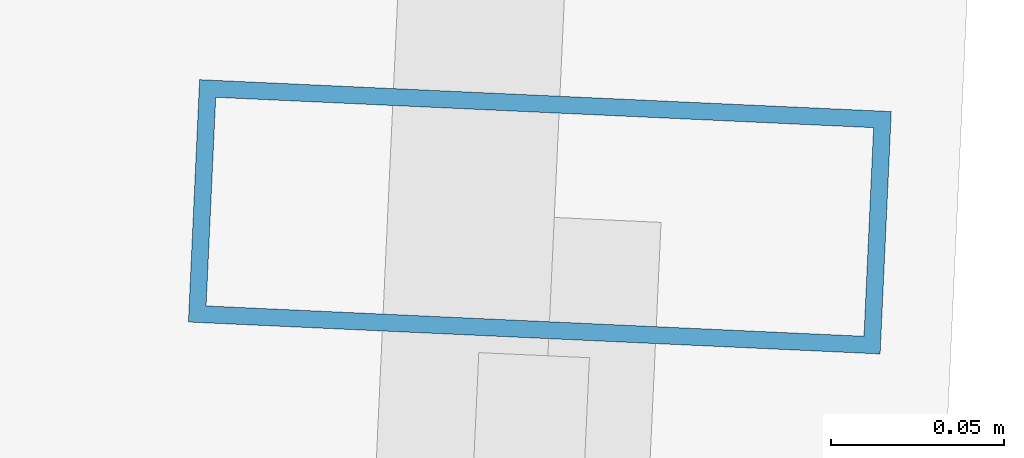
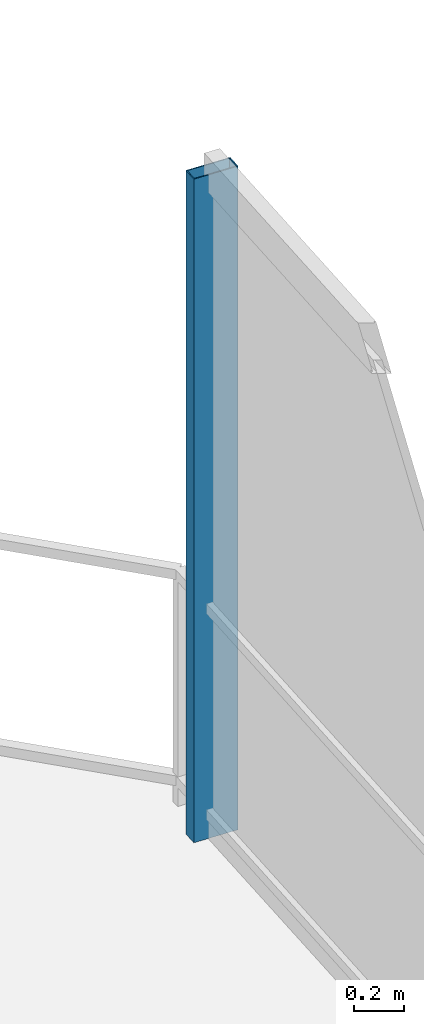
# One storey, part 14 of 20: 1 member, 1 element without a shape of its own.
"""IFC4 building model written with IfcOpenShell, lengths in metres."""

from ifc_helpers import new_model, si_unit, direction, frame, origin, origin_2d, place, context, subcontext, project, spatial, hollow_rectangle, extrude, material, layer, layer_set, material_profile, profile_set, type_object, element, aggregate, save


model = new_model("IFC4")

# Units and contexts
model_context = context("Model", 3, precision=1e-05, world=origin(), true_north=direction((0.0, 1.0)))
body_context = subcontext(model_context, "Body", "Model", "MODEL_VIEW")
ifc_project = project(units=[si_unit("LENGTHUNIT", "METRE"), si_unit("AREAUNIT", "SQUARE_METRE"), si_unit("VOLUMEUNIT", "CUBIC_METRE"), si_unit("PLANEANGLEUNIT", "RADIAN"), si_unit("MASSUNIT", "GRAM", prefix="KILO")], contexts=[model_context])

# Site, building, storey
site_placement = place(None, origin())
site = spatial("IfcSite", under=ifc_project, at=site_placement, CompositionType="ELEMENT")
building_placement = place(site_placement, origin())
building = spatial("IfcBuilding", under=site, at=building_placement, Name="Qarnah Convention Tower", CompositionType="ELEMENT")
storey_placement = place(building_placement, frame((0.0, 0.0, 168.89990234375)))
storey = spatial("IfcBuildingStorey", under=building, at=storey_placement, Name="L45", CompositionType="ELEMENT", Elevation=168.89990234375)

# Curtain wall, member
ifc_material_1 = material(Name="Tempered Low-E dark glass", Category="glass")
ifc_layer = layer(ifc_material_1, 0.172119140625)
ifc_layer_set = layer_set([ifc_layer], Name="Tempered Low-E dark glass")
curtain_wall_type = type_object("IfcCurtainWallType", Name="CWS-03", PredefinedType="NOTDEFINED", material=ifc_layer_set)
curtain_wall_placement = place(storey_placement, origin())
curtain_wall = element("IfcCurtainWall", 1, at=curtain_wall_placement, inside=storey, type_object=curtain_wall_type, Name="L45 unitised curtain wall CW-L45-F3", PredefinedType="NOTDEFINED")
ifc_material_2 = material(Name="Black anodised aluminium", Category="aluminium")
ifc_material_profile = material_profile(ifc_material_2, hollow_rectangle(XDim=0.070068359375, YDim=0.199951171875, WallThickness=0.0048828125, at=origin_2d()), Name="MUL-70X200")
ifc_profile_set = profile_set([ifc_material_profile], Name="Black anodised aluminium")
member_type = type_object("IfcMemberType", Name="MUL-T3", PredefinedType="MULLION", material=ifc_profile_set)
member_placement = place(storey_placement, frame((54.77490234375, 40.824951171875, 0.0), z_axis=(0.0, 0.0, 1.0), x_axis=(-0.04605972752, -0.998938687558, 0.0)))
member = element("IfcMember", 2, at=member_placement, type_object=member_type, Name="CW-L45-F3 mullion 1", PredefinedType="MULLION", context=body_context, shape_type="SweptSolid", body=[
    extrude(hollow_rectangle(XDim=0.070068359375, YDim=0.199951171875, WallThickness=0.0048828125, at=origin_2d()), origin(), (0.0, 0.0, 1.0), 3.239990234375),
])
aggregate(curtain_wall, [member])

save(model, "model.ifc")
